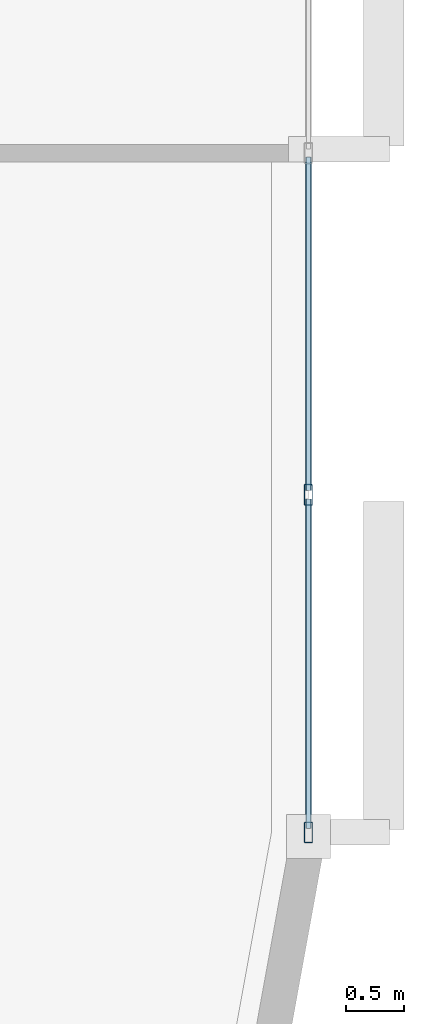
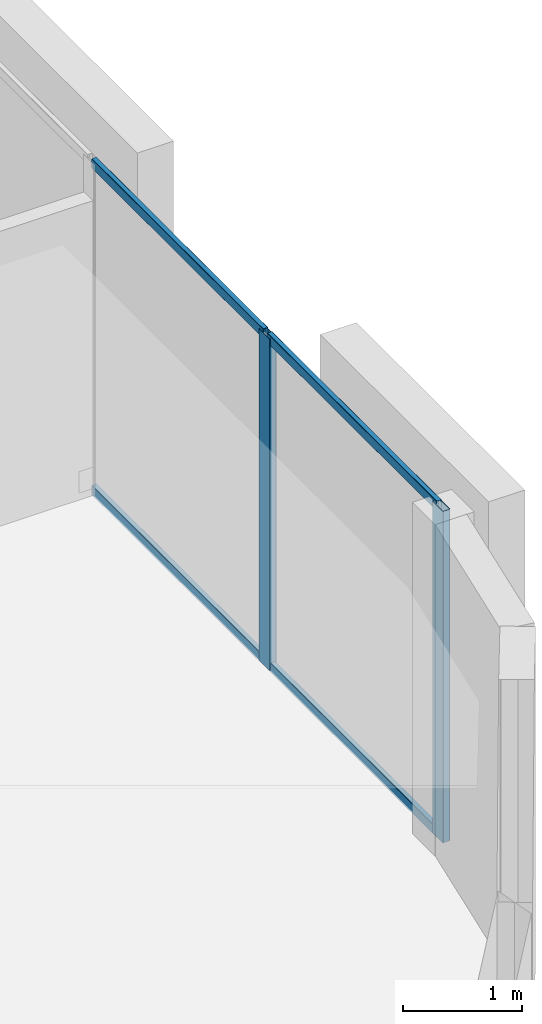
# One storey, part 4 of 13: 6 members, 1 element without a shape of its own.
"""IFC4 building model written with IfcOpenShell, lengths in metres."""

import ifcopenshell
import ifcopenshell.guid

model = None  # the IFC model being written
_history = None  # IfcOwnerHistory: only IFC2X3 demands one
_inside = {}  # id of a spatial element -> (the spatial element, [elements in it])
_under = {}  # id of a project, library or spatial element -> (it, [spatial elements below it])
_declared = {}  # id of a project -> (the project, [libraries it declares])
_typed = {}  # id of a type object -> (the type object, [elements of that type])
_made_of = {}  # id of a material, layer set ... -> (it, [elements and type objects made of it])


def new_model(schema):
    """Start an empty IFC model of exactly this schema.

    Asked for "IFC4X3", IfcOpenShell would pick the latest addendum, in which some entities
    have other attributes; the version numbers below select the first issue.
    IFC2X3 requires an IfcOwnerHistory on every rooted entity: one is made here for all.
    """
    global model, _history
    if schema == "IFC4X3":
        model = ifcopenshell.file(schema_version=(4, 3, 0, 0))
    else:
        model = ifcopenshell.file(schema=schema)
    _inside.clear()
    _under.clear()
    _declared.clear()
    _typed.clear()
    _made_of.clear()
    _history = None
    if model.schema == "IFC2X3":
        org = make("IfcOrganization", Name="unknown")
        user = make(
            "IfcPersonAndOrganization",
            ThePerson=make("IfcPerson", FamilyName="unknown"),
            TheOrganization=org,
        )
        app = make(
            "IfcApplication",
            ApplicationDeveloper=org,
            Version="unknown",
            ApplicationFullName="unknown",
            ApplicationIdentifier="unknown",
        )
        _history = make(
            "IfcOwnerHistory",
            OwningUser=user,
            OwningApplication=app,
            ChangeAction="ADDED",
            CreationDate=0,
        )
    return model


def make(cls, **values):
    """One entity of the class cls with the attributes given. An attribute that is None is left unset."""
    return model.create_entity(
        cls, **{name: value for name, value in values.items() if value is not None}
    )


def rooted(cls, **values):
    """An entity with a GlobalId (a new one), such as an element, a storey or a relation."""
    return make(cls, GlobalId=ifcopenshell.guid.new(), OwnerHistory=_history, **values)


def si_unit(unit_type, name, prefix=None):
    """IfcSIUnit, for example si_unit("LENGTHUNIT", "METRE", prefix="MILLI")."""
    return make("IfcSIUnit", UnitType=unit_type, Prefix=prefix, Name=name)


def assignment(units):
    """IfcUnitAssignment: the units of a project."""
    return None if units is None else make("IfcUnitAssignment", Units=units)


def point(xyz):
    """IfcCartesianPoint."""
    return None if xyz is None else make("IfcCartesianPoint", Coordinates=xyz)


def direction(xyz):
    """IfcDirection."""
    return None if xyz is None else make("IfcDirection", DirectionRatios=xyz)


def frame(location, z_axis=None, x_axis=None):
    """IfcAxis2Placement3D, a coordinate frame: its origin and axes. An axis left out is left unset."""
    return make(
        "IfcAxis2Placement3D",
        Location=point(location),
        Axis=direction(z_axis),
        RefDirection=direction(x_axis),
    )


def frame_2d(location, x_axis=None):
    """IfcAxis2Placement2D, a coordinate frame in the plane: its origin and x axis."""
    return make(
        "IfcAxis2Placement2D", Location=point(location), RefDirection=direction(x_axis)
    )


def origin():
    """The frame at (0, 0, 0) with its axes left unset."""
    return frame((0.0, 0.0, 0.0))


def origin_2d():
    """The frame at (0, 0) in the plane with its x axis left unset."""
    return frame_2d((0.0, 0.0))


def place(relative_to, where):
    """IfcLocalPlacement: puts the frame where relative to a parent placement (None: the world)."""
    return make(
        "IfcLocalPlacement", PlacementRelTo=relative_to, RelativePlacement=where
    )


def context(
    kind, dimensions, precision=None, world=None, true_north=None, identifier=None
):
    """IfcGeometricRepresentationContext, for example the 3D "Model" context."""
    return make(
        "IfcGeometricRepresentationContext",
        ContextIdentifier=identifier,
        ContextType=kind,
        CoordinateSpaceDimension=dimensions,
        Precision=precision,
        WorldCoordinateSystem=world,
        TrueNorth=true_north,
    )


def subcontext(parent, identifier, kind, view, scale=None):
    """IfcGeometricRepresentationSubContext, for example "Body" below "Model"."""
    return make(
        "IfcGeometricRepresentationSubContext",
        ContextIdentifier=identifier,
        ContextType=kind,
        ParentContext=parent,
        TargetScale=scale,
        TargetView=view,
    )


def project(units=None, contexts=None):
    """IfcProject with its units and contexts."""
    return rooted(
        "IfcProject",
        Name="project",
        RepresentationContexts=contexts,
        UnitsInContext=assignment(units),
    )


def spatial(cls, under=None, at=None, **own):
    """A site, building, storey or space (cls), placed at a placement, below another one or the project."""
    s = rooted(cls, ObjectPlacement=at, **own)
    if under is not None:
        _under.setdefault(under.id(), (under, []))[1].append(s)
    return s


def profile(cls, at=None, kind="AREA", **sizes):
    """A parametric profile (cls). Its sizes go by their IFC names, for example OverallWidth=200.0."""
    return make(cls, ProfileType=kind, Position=at, **sizes)


def hollow_rectangle(**sizes):
    """IfcRectangleHollowProfileDef."""
    return profile("IfcRectangleHollowProfileDef", **sizes)


def extrude(swept, where, along, depth):
    """IfcExtrudedAreaSolid: the profile swept, set in the frame where, extruded along a direction by depth."""
    return make(
        "IfcExtrudedAreaSolid",
        SweptArea=swept,
        Position=where,
        ExtrudedDirection=direction(along),
        Depth=depth,
    )


def shape(context_of_items, identifier, shape_type, items):
    """IfcShapeRepresentation: the items that make up one representation, for example the "Body"."""
    return make(
        "IfcShapeRepresentation",
        ContextOfItems=context_of_items,
        RepresentationIdentifier=identifier,
        RepresentationType=shape_type,
        Items=items,
    )


def material(Name=None, Category=None):
    """IfcMaterial."""
    return make("IfcMaterial", Name=Name, Category=Category)


def layer(
    of_material, thickness, ventilated=None, Name=None, Category=None, Priority=None
):
    """IfcMaterialLayer: one layer of a wall or slab, of a material (None: an air gap)."""
    return make(
        "IfcMaterialLayer",
        Material=of_material,
        LayerThickness=thickness,
        IsVentilated=ventilated,
        Name=Name,
        Category=Category,
        Priority=Priority,
    )


def layer_set(layers, Name=None):
    """IfcMaterialLayerSet."""
    return make("IfcMaterialLayerSet", MaterialLayers=layers, LayerSetName=Name)


def material_profile(
    of_material, cross_section, Name=None, Category=None, Priority=None
):
    """IfcMaterialProfile: a cross section and its material."""
    return make(
        "IfcMaterialProfile",
        Name=Name,
        Material=of_material,
        Profile=cross_section,
        Priority=Priority,
        Category=Category,
    )


def profile_set(profiles, Name=None, composite=None):
    """IfcMaterialProfileSet."""
    return make(
        "IfcMaterialProfileSet",
        Name=Name,
        MaterialProfiles=profiles,
        CompositeProfile=composite,
    )


def made_of(thing, what):
    """Note that an element or type object is made of a material, layer set ...; save() writes the relation."""
    if what is not None:
        _made_of.setdefault(what.id(), (what, []))[1].append(thing)
    return thing


def type_object(cls, material=None, **own):
    """A type object (cls), such as IfcWallType, which elements share."""
    return made_of(rooted(cls, **own), material)


def element(
    cls,
    number,
    at=None,
    inside=None,
    cuts=None,
    type_object=None,
    material=None,
    context=None,
    identifier="Body",
    shape_type=None,
    held_by="IfcProductDefinitionShape",
    body=None,
    shapes=None,
    **own,
):
    """One element of the class cls, such as IfcWall. Its Tag is "e" and its number.

    at: its placement. inside: the storey or other place that contains it. cuts: it is an
    opening in that element (IfcRelVoidsElement). A single representation is given by context,
    identifier, shape_type and body (its items); several are given by shapes. held_by: the class
    of the entity that holds the representations. save() writes the other relations.
    """
    e = rooted(cls, Tag="e%d" % number, ObjectPlacement=at, **own)
    if body is not None:
        shapes = [shape(context, identifier, shape_type, body)]
    if shapes is not None:
        e.Representation = make(held_by, Representations=shapes)
    if inside is not None:
        _inside.setdefault(inside.id(), (inside, []))[1].append(e)
    if cuts is not None:
        rooted(
            "IfcRelVoidsElement", RelatingBuildingElement=cuts, RelatedOpeningElement=e
        )
    if type_object is not None:
        _typed.setdefault(type_object.id(), (type_object, []))[1].append(e)
    return made_of(e, material)


def aggregate(whole, parts):
    """IfcRelAggregates: a whole, such as a stair, and the parts it consists of."""
    return rooted("IfcRelAggregates", RelatingObject=whole, RelatedObjects=parts)


def save(model, path):
    """Write the relations noted so far, then the file.

    IfcRelAggregates (storeys below a building ...), IfcRelContainedInSpatialStructure (elements
    in a storey), IfcRelDefinesByType, IfcRelAssociatesMaterial and IfcRelDeclares: one each for
    every whole, place, type object, material and project.
    """
    for whole, parts in _under.values():
        aggregate(whole, parts)
    for where, things in _inside.values():
        rooted(
            "IfcRelContainedInSpatialStructure",
            RelatedElements=things,
            RelatingStructure=where,
        )
    for kind, things in _typed.values():
        rooted("IfcRelDefinesByType", RelatedObjects=things, RelatingType=kind)
    for what, things in _made_of.values():
        rooted("IfcRelAssociatesMaterial", RelatedObjects=things, RelatingMaterial=what)
    for by, libraries in _declared.values():
        rooted("IfcRelDeclares", RelatingContext=by, RelatedDefinitions=libraries)
    model.write(path)


model = new_model("IFC4")

# Units and contexts
model_context = context("Model", 3, precision=1e-05, world=origin(), true_north=direction((0.0, 1.0)))
body_context = subcontext(model_context, "Body", "Model", "MODEL_VIEW")
ifc_project = project(units=[si_unit("LENGTHUNIT", "METRE"), si_unit("AREAUNIT", "SQUARE_METRE"), si_unit("VOLUMEUNIT", "CUBIC_METRE"), si_unit("PLANEANGLEUNIT", "RADIAN"), si_unit("MASSUNIT", "GRAM", prefix="KILO")], contexts=[model_context])

# Site, building, storey
site_placement = place(None, origin())
site = spatial("IfcSite", under=ifc_project, at=site_placement, CompositionType="ELEMENT")
building_placement = place(site_placement, origin())
building = spatial("IfcBuilding", under=site, at=building_placement, Name="An Khanh Terracotta Commons", CompositionType="ELEMENT")
storey_placement = place(building_placement, frame((0.0, 0.0, 201.300048828125)))
storey = spatial("IfcBuildingStorey", under=building, at=storey_placement, Name="L52", CompositionType="ELEMENT", Elevation=201.300048828125)

# Curtain wall, members
ifc_material = material(Name="Anodised Aluminium 6063-T6", Category="aluminium")
ifc_layer = layer(ifc_material, 0.2099609375, Name="Anodised Aluminium 6063-T6")
ifc_layer_set = layer_set([ifc_layer], Name="Anodised Aluminium 6063-T6")
curtain_wall_type = type_object("IfcCurtainWallType", Name="CW-SYS-03", PredefinedType="USERDEFINED", material=ifc_layer_set)
curtain_wall_placement = place(storey_placement, origin())
curtain_wall = element("IfcCurtainWall", 1, at=curtain_wall_placement, inside=storey, type_object=curtain_wall_type, Name="L52 CW-03 Unitised Curtain Wall CW-L52-12", ObjectType="UNITISED CURTAIN WALL", PredefinedType="USERDEFINED")
ifc_material_profile_1 = material_profile(ifc_material, hollow_rectangle(XDim=0.070068359375, YDim=0.179931640625, WallThickness=0.00390625, InnerFilletRadius=0.00390625, OuterFilletRadius=0.008056640625, at=origin_2d()), Name="RHS180x70x4")
ifc_profile_set_1 = profile_set([ifc_material_profile_1], Name="Anodised Aluminium 6063-T6")
member_type_1 = type_object("IfcMemberType", Name="CWM-RHS180x70x4", PredefinedType="MULLION", material=ifc_profile_set_1)
member_1_placement = place(storey_placement, frame((68.60009765625, 18.135986328125, 0.0), z_axis=(0.0, 0.0, 1.0), x_axis=(-1.0, 0.0, 0.0)))
member_1 = element("IfcMember", 2, at=member_1_placement, type_object=member_type_1, Name="CW-03 mullion 1", PredefinedType="MULLION", context=body_context, shape_type="SweptSolid", body=[
    extrude(hollow_rectangle(XDim=0.070068359375, YDim=0.179931640625, WallThickness=0.00390625, InnerFilletRadius=0.00390625, OuterFilletRadius=0.008056640625, at=origin_2d()), origin(), (0.0, 0.0, 1.0), 3.39990234375),
])
member_2_placement = place(storey_placement, frame((68.60009765625, 21.050537109375, 0.0), z_axis=(0.0, 0.0, 1.0), x_axis=(-1.0, 0.0, 0.0)))
member_2 = element("IfcMember", 3, at=member_2_placement, type_object=member_type_1, Name="CW-03 mullion 2", PredefinedType="MULLION", context=body_context, shape_type="SweptSolid", body=[
    extrude(hollow_rectangle(XDim=0.070068359375, YDim=0.179931640625, WallThickness=0.00390625, InnerFilletRadius=0.00390625, OuterFilletRadius=0.008056640625, at=origin_2d()), origin(), (0.0, 0.0, 1.0), 3.39990234375),
])
ifc_material_profile_2 = material_profile(ifc_material, hollow_rectangle(XDim=0.050048828125, YDim=0.10009765625, WallThickness=0.003173828125, InnerFilletRadius=0.003173828125, OuterFilletRadius=0.00634765625, at=origin_2d()), Name="RHS100x50x3.2")
ifc_profile_set_2 = profile_set([ifc_material_profile_2], Name="Anodised Aluminium 6063-T6")
member_type_2 = type_object("IfcMemberType", Name="CWT-RHS100x50x3.2", PredefinedType="USERDEFINED", material=ifc_profile_set_2)
member_3_placement = place(storey_placement, frame((68.60009765625, 18.1708984375, 0.02490234375), z_axis=(0.0, 1.0, 0.0), x_axis=(-1.0, 0.0, 0.0)))
member_3 = element("IfcMember", 4, at=member_3_placement, type_object=member_type_2, Name="CW-03 transom 1.1", ObjectType="TRANSOM", PredefinedType="USERDEFINED", context=body_context, shape_type="SweptSolid", body=[
    extrude(hollow_rectangle(XDim=0.050048828125, YDim=0.10009765625, WallThickness=0.003173828125, InnerFilletRadius=0.003173828125, OuterFilletRadius=0.00634765625, at=origin_2d()), origin(), (0.0, 0.0, 1.0), 2.844482421875),
])
member_4_placement = place(storey_placement, frame((68.60009765625, 18.1708984375, 3.375), z_axis=(0.0, 1.0, 0.0), x_axis=(-1.0, 0.0, 0.0)))
member_4 = element("IfcMember", 5, at=member_4_placement, type_object=member_type_2, Name="CW-03 transom 1.2", ObjectType="TRANSOM", PredefinedType="USERDEFINED", context=body_context, shape_type="SweptSolid", body=[
    extrude(hollow_rectangle(XDim=0.050048828125, YDim=0.10009765625, WallThickness=0.003173828125, InnerFilletRadius=0.003173828125, OuterFilletRadius=0.00634765625, at=origin_2d()), origin(), (0.0, 0.0, 1.0), 2.844482421875),
])
member_5_placement = place(storey_placement, frame((68.60009765625, 21.08544921875, 0.02490234375), z_axis=(0.0, 1.0, 0.0), x_axis=(-1.0, 0.0, 0.0)))
member_5 = element("IfcMember", 6, at=member_5_placement, type_object=member_type_2, Name="CW-03 transom 2.1", ObjectType="TRANSOM", PredefinedType="USERDEFINED", context=body_context, shape_type="SweptSolid", body=[
    extrude(hollow_rectangle(XDim=0.050048828125, YDim=0.10009765625, WallThickness=0.003173828125, InnerFilletRadius=0.003173828125, OuterFilletRadius=0.00634765625, at=origin_2d()), origin(), (0.0, 0.0, 1.0), 2.879638671875),
])
member_6_placement = place(storey_placement, frame((68.60009765625, 21.08544921875, 3.375), z_axis=(0.0, 1.0, 0.0), x_axis=(-1.0, 0.0, 0.0)))
member_6 = element("IfcMember", 7, at=member_6_placement, type_object=member_type_2, Name="CW-03 transom 2.2", ObjectType="TRANSOM", PredefinedType="USERDEFINED", context=body_context, shape_type="SweptSolid", body=[
    extrude(hollow_rectangle(XDim=0.050048828125, YDim=0.10009765625, WallThickness=0.003173828125, InnerFilletRadius=0.003173828125, OuterFilletRadius=0.00634765625, at=origin_2d()), origin(), (0.0, 0.0, 1.0), 2.879638671875),
])
aggregate(curtain_wall, [member_1, member_2, member_3, member_4, member_5, member_6])

save(model, "model.ifc")
